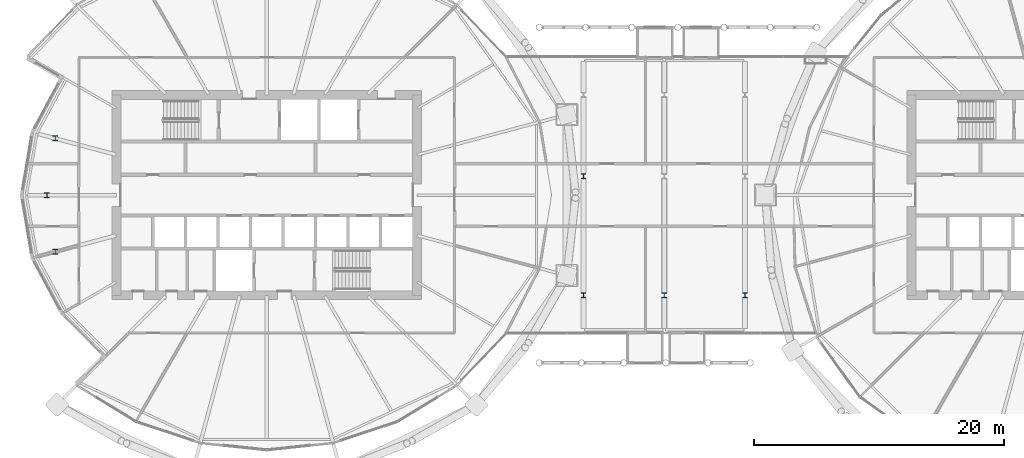
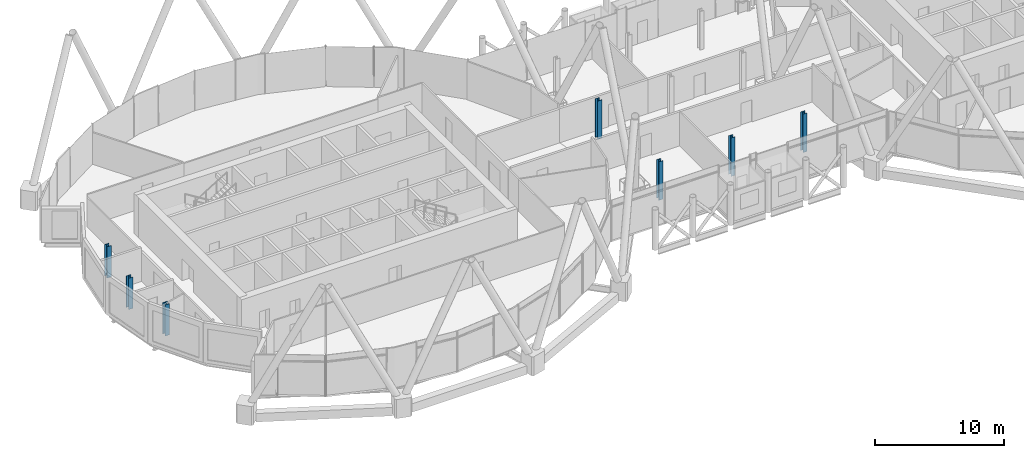
# One storey, part 1 of 35: 7 columns.
"""IFC4 building model written with IfcOpenShell, lengths in metres."""

from ifc_helpers import new_model, si_unit, direction, frame, origin, origin_2d, place, context, subcontext, project, spatial, i_section, extrude, material, material_profile, profile_set, type_object, element, save


model = new_model("IFC4")

# Units and contexts
model_context = context("Model", 3, precision=1e-05, world=origin(), true_north=direction((0.0, 1.0)))
body_context = subcontext(model_context, "Body", "Model", "MODEL_VIEW")
ifc_project = project(units=[si_unit("LENGTHUNIT", "METRE"), si_unit("AREAUNIT", "SQUARE_METRE"), si_unit("VOLUMEUNIT", "CUBIC_METRE"), si_unit("PLANEANGLEUNIT", "RADIAN"), si_unit("MASSUNIT", "GRAM", prefix="KILO")], contexts=[model_context])

# Site, building, storey
site_placement = place(None, origin())
site = spatial("IfcSite", under=ifc_project, at=site_placement, CompositionType="ELEMENT")
building_placement = place(site_placement, origin())
building = spatial("IfcBuilding", under=site, at=building_placement, Name="Rimbun Link Towers", CompositionType="ELEMENT")
storey_placement = place(building_placement, frame((0.0, 0.0, 146.800048828125)))
storey = spatial("IfcBuildingStorey", under=building, at=storey_placement, Name="L35", CompositionType="ELEMENT", Elevation=146.800048828125)

# Columns
ifc_material_1 = material(Name="Steel S355J2", Category="steel")
ifc_material_profile_1 = material_profile(ifc_material_1, i_section(OverallWidth=0.374755859375, OverallDepth=0.37451171875, WebThickness=0.0166015625, FlangeThickness=0.027099609375, at=origin_2d()), Name="UKC 356x368x202")
ifc_profile_set_1 = profile_set([ifc_material_profile_1], Name="Steel S355J2")
column_type_1 = type_object("IfcColumnType", Name="Link column UKC 356x368x202", PredefinedType="COLUMN", material=ifc_profile_set_1)
for number, where, z_axis, x_axis, name in (
    (1, (-6.449951171875, -8.0, 0.0), (0.0, 0.0, 1.0), (1.0, 0.0, 0.0), "Link column L35 1-1"),
    (2, (-6.449951171875, 1.5, 0.0), (0.0, 0.0, 1.0), (1.0, 0.0, 0.0), "Link column L35 2-1"),
    (3, (0.0, -8.0, 0.0), (0.0, 0.0, 1.0), (1.0, 0.0, 0.0), "Link column L35 1-2"),
    (4, (6.449951171875, -8.0, 0.0), (0.0, 0.0, 1.0), (1.0, 0.0, 0.0), "Link column L35 1-3"),
):
    element("IfcColumn", number, at=place(storey_placement, frame(where, z_axis=z_axis, x_axis=x_axis)), inside=storey, type_object=column_type_1, Name=name, PredefinedType="COLUMN", context=body_context, shape_type="SweptSolid", body=[
        extrude(i_section(OverallWidth=0.374755859375, OverallDepth=0.37451171875, WebThickness=0.0166015625, FlangeThickness=0.027099609375, at=origin_2d()), origin(), (0.0, 0.0, 1.0), 3.639892578125),
    ])
ifc_material_2 = material(Name="Steel S355J2", Category="steel")
ifc_material_profile_2 = material_profile(ifc_material_2, i_section(OverallWidth=0.39892578125, OverallDepth=0.3935546875, WebThickness=0.022705078125, FlangeThickness=0.03662109375, at=origin_2d()), Name="UC 356x406x287")
ifc_profile_set_2 = profile_set([ifc_material_profile_2], Name="Steel S355J2")
column_type_2 = type_object("IfcColumnType", Name="UC 356x406x287", PredefinedType="COLUMN", material=ifc_profile_set_2)
for number, where, z_axis, x_axis, name in (
    (5, (-48.638916015625, 4.525390625, -0.179931640625), (0.0, 0.0, 1.0), (1.0, 0.0, 0.0), "Crease post T1 L35 11"),
    (6, (-49.298095703125, 0.0, -0.179931640625), (0.0, 0.0, 1.0), (1.0, 0.0, 0.0), "Crease post T1 L35 12"),
    (7, (-48.638916015625, -4.525390625, -0.179931640625), (0.0, 0.0, 1.0), (1.0, 0.0, 0.0), "Crease post T1 L35 13"),
):
    element("IfcColumn", number, at=place(storey_placement, frame(where, z_axis=z_axis, x_axis=x_axis)), inside=storey, type_object=column_type_2, Name=name, PredefinedType="COLUMN", context=body_context, shape_type="SweptSolid", body=[
        extrude(i_section(OverallWidth=0.39892578125, OverallDepth=0.3935546875, WebThickness=0.022705078125, FlangeThickness=0.03662109375, at=origin_2d()), origin(), (0.0, 0.0, 1.0), 2.959228515625),
    ])

save(model, "model.ifc")
